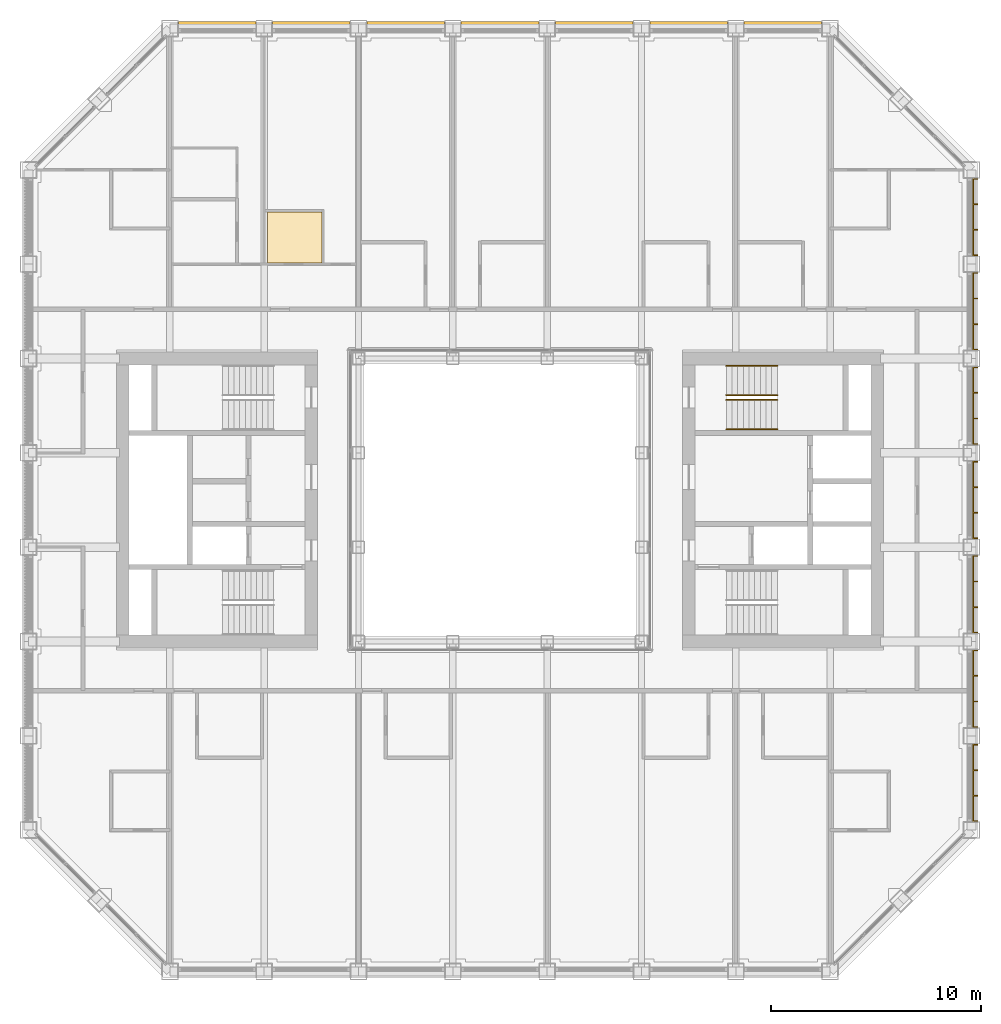
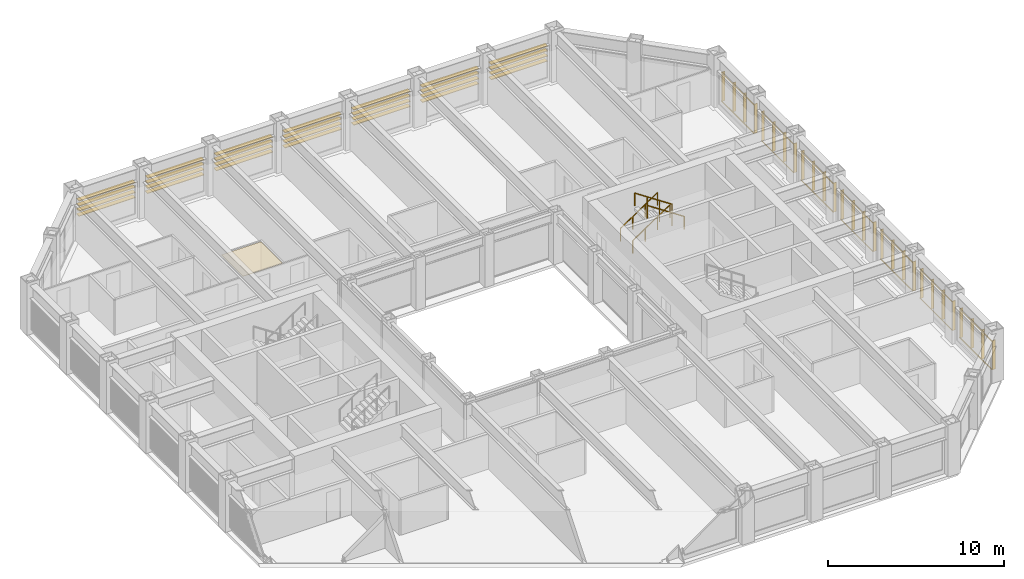
# One storey, part 17 of 17: 4 railings, 2 shading devices, 1 covering.
"""IFC4 building model written with IfcOpenShell, lengths in metres."""

from ifc_helpers import new_model, si_unit, direction, frame, origin, origin_2d, place, context, subcontext, project, spatial, line, indexed_curve, rectangle, circle, outline, extrude, material, layer, layer_set, type_object, element, save


model = new_model("IFC4")

# Units and contexts
model_context = context("Model", 3, precision=1e-05, world=origin(), true_north=direction((0.0, 1.0)))
body_context = subcontext(model_context, "Body", "Model", "MODEL_VIEW")
ifc_project = project(units=[si_unit("LENGTHUNIT", "METRE"), si_unit("AREAUNIT", "SQUARE_METRE"), si_unit("VOLUMEUNIT", "CUBIC_METRE"), si_unit("PLANEANGLEUNIT", "RADIAN"), si_unit("MASSUNIT", "GRAM", prefix="KILO")], contexts=[model_context])

# Site, building, storey
site_placement = place(None, origin())
site = spatial("IfcSite", under=ifc_project, at=site_placement, CompositionType="ELEMENT")
building_placement = place(site_placement, origin())
building = spatial("IfcBuilding", under=site, at=building_placement, Name="Msasa Ring Tower", CompositionType="ELEMENT")
storey_placement = place(building_placement, frame((0.0, 0.0, 179.60009765625)))
storey = spatial("IfcBuildingStorey", under=building, at=storey_placement, Name="L47", CompositionType="ELEMENT", Elevation=179.60009765625)

# Shading device
ifc_material_1 = material(Name="Extruded terracotta on aluminium carriers", Category="masonry")
shading_device_type_1 = type_object("IfcShadingDeviceType", Name="BS2 TERRACOTTA FIN SCREEN 40x200 AT 1350", PredefinedType="USERDEFINED", material=ifc_material_1)
shading_device_1_placement = place(storey_placement, origin())
element("IfcShadingDevice", 1, at=shading_device_1_placement, inside=storey, type_object=shading_device_type_1, Name="Terracotta fin screen E L47", ObjectType="BAGUETTE", PredefinedType="USERDEFINED", context=body_context, shape_type="SweptSolid", body=[
    extrude(rectangle(XDim=0.06005859375, YDim=0.0400390625, at=origin_2d()), frame((22.580078125, -15.35009765625, 0.329833984375), z_axis=(0.0, 1.0, 0.0), x_axis=(0.0, 0.0, 1.0)), (0.0, 0.0, 1.0), 3.699951171875),
    extrude(rectangle(XDim=0.06005859375, YDim=0.0400390625, at=origin_2d()), frame((22.580078125, -15.35009765625, 2.298828125), z_axis=(0.0, 1.0, 0.0), x_axis=(0.0, 0.0, 1.0)), (0.0, 0.0, 1.0), 3.699951171875),
    extrude(rectangle(XDim=0.0400390625, YDim=0.199951171875, at=origin_2d()), frame((22.695068359375, -15.330078125, 0.2998046875), z_axis=(0.0, 0.0, 1.0), x_axis=(0.0, 1.0, 0.0)), (0.0, 0.0, 1.0), 2.029052734375),
    extrude(rectangle(XDim=0.0400390625, YDim=0.199951171875, at=origin_2d()), frame((22.695068359375, -14.110107421875, 0.2998046875), z_axis=(0.0, 0.0, 1.0), x_axis=(0.0, 1.0, 0.0)), (0.0, 0.0, 1.0), 2.029052734375),
    extrude(rectangle(XDim=0.0400390625, YDim=0.199951171875, at=origin_2d()), frame((22.695068359375, -12.889892578125, 0.2998046875), z_axis=(0.0, 0.0, 1.0), x_axis=(0.0, 1.0, 0.0)), (0.0, 0.0, 1.0), 2.029052734375),
    extrude(rectangle(XDim=0.0400390625, YDim=0.199951171875, at=origin_2d()), frame((22.695068359375, -11.669921875, 0.2998046875), z_axis=(0.0, 0.0, 1.0), x_axis=(0.0, 1.0, 0.0)), (0.0, 0.0, 1.0), 2.029052734375),
    extrude(rectangle(XDim=0.06005859375, YDim=0.0400390625, at=origin_2d()), frame((22.580078125, -10.85009765625, 0.329833984375), z_axis=(0.0, 1.0, 0.0), x_axis=(0.0, 0.0, 1.0)), (0.0, 0.0, 1.0), 3.699951171875),
    extrude(rectangle(XDim=0.06005859375, YDim=0.0400390625, at=origin_2d()), frame((22.580078125, -10.85009765625, 2.298828125), z_axis=(0.0, 1.0, 0.0), x_axis=(0.0, 0.0, 1.0)), (0.0, 0.0, 1.0), 3.699951171875),
    extrude(rectangle(XDim=0.0400390625, YDim=0.199951171875, at=origin_2d()), frame((22.695068359375, -10.830078125, 0.2998046875), z_axis=(0.0, 0.0, 1.0), x_axis=(0.0, 1.0, 0.0)), (0.0, 0.0, 1.0), 2.029052734375),
    extrude(rectangle(XDim=0.0400390625, YDim=0.199951171875, at=origin_2d()), frame((22.695068359375, -9.610107421875, 0.2998046875), z_axis=(0.0, 0.0, 1.0), x_axis=(0.0, 1.0, 0.0)), (0.0, 0.0, 1.0), 2.029052734375),
    extrude(rectangle(XDim=0.0400390625, YDim=0.199951171875, at=origin_2d()), frame((22.695068359375, -8.389892578125, 0.2998046875), z_axis=(0.0, 0.0, 1.0), x_axis=(0.0, 1.0, 0.0)), (0.0, 0.0, 1.0), 2.029052734375),
    extrude(rectangle(XDim=0.0400390625, YDim=0.199951171875, at=origin_2d()), frame((22.695068359375, -7.169921875, 0.2998046875), z_axis=(0.0, 0.0, 1.0), x_axis=(0.0, 1.0, 0.0)), (0.0, 0.0, 1.0), 2.029052734375),
    extrude(rectangle(XDim=0.06005859375, YDim=0.0400390625, at=origin_2d()), frame((22.580078125, -6.35009765625, 0.329833984375), z_axis=(0.0, 1.0, 0.0), x_axis=(0.0, 0.0, 1.0)), (0.0, 0.0, 1.0), 3.699951171875),
    extrude(rectangle(XDim=0.06005859375, YDim=0.0400390625, at=origin_2d()), frame((22.580078125, -6.35009765625, 2.298828125), z_axis=(0.0, 1.0, 0.0), x_axis=(0.0, 0.0, 1.0)), (0.0, 0.0, 1.0), 3.699951171875),
    extrude(rectangle(XDim=0.0400390625, YDim=0.199951171875, at=origin_2d()), frame((22.695068359375, -6.330078125, 0.2998046875), z_axis=(0.0, 0.0, 1.0), x_axis=(0.0, 1.0, 0.0)), (0.0, 0.0, 1.0), 2.029052734375),
    extrude(rectangle(XDim=0.0400390625, YDim=0.199951171875, at=origin_2d()), frame((22.695068359375, -5.110107421875, 0.2998046875), z_axis=(0.0, 0.0, 1.0), x_axis=(0.0, 1.0, 0.0)), (0.0, 0.0, 1.0), 2.029052734375),
    extrude(rectangle(XDim=0.0400390625, YDim=0.199951171875, at=origin_2d()), frame((22.695068359375, -3.889892578125, 0.2998046875), z_axis=(0.0, 0.0, 1.0), x_axis=(0.0, 1.0, 0.0)), (0.0, 0.0, 1.0), 2.029052734375),
    extrude(rectangle(XDim=0.0400390625, YDim=0.199951171875, at=origin_2d()), frame((22.695068359375, -2.669921875, 0.2998046875), z_axis=(0.0, 0.0, 1.0), x_axis=(0.0, 1.0, 0.0)), (0.0, 0.0, 1.0), 2.029052734375),
    extrude(rectangle(XDim=0.06005859375, YDim=0.0400390625, at=origin_2d()), frame((22.580078125, -1.85009765625, 0.329833984375), z_axis=(0.0, 1.0, 0.0), x_axis=(0.0, 0.0, 1.0)), (0.0, 0.0, 1.0), 3.699951171875),
    extrude(rectangle(XDim=0.06005859375, YDim=0.0400390625, at=origin_2d()), frame((22.580078125, -1.85009765625, 2.298828125), z_axis=(0.0, 1.0, 0.0), x_axis=(0.0, 0.0, 1.0)), (0.0, 0.0, 1.0), 3.699951171875),
    extrude(rectangle(XDim=0.0400390625, YDim=0.199951171875, at=origin_2d()), frame((22.695068359375, -1.830078125, 0.2998046875), z_axis=(0.0, 0.0, 1.0), x_axis=(0.0, 1.0, 0.0)), (0.0, 0.0, 1.0), 2.029052734375),
    extrude(rectangle(XDim=0.0400390625, YDim=0.199951171875, at=origin_2d()), frame((22.695068359375, -0.610107421875, 0.2998046875), z_axis=(0.0, 0.0, 1.0), x_axis=(0.0, 1.0, 0.0)), (0.0, 0.0, 1.0), 2.029052734375),
    extrude(rectangle(XDim=0.0400390625, YDim=0.199951171875, at=origin_2d()), frame((22.695068359375, 0.610107421875, 0.2998046875), z_axis=(0.0, 0.0, 1.0), x_axis=(0.0, 1.0, 0.0)), (0.0, 0.0, 1.0), 2.029052734375),
    extrude(rectangle(XDim=0.0400390625, YDim=0.199951171875, at=origin_2d()), frame((22.695068359375, 1.830078125, 0.2998046875), z_axis=(0.0, 0.0, 1.0), x_axis=(0.0, 1.0, 0.0)), (0.0, 0.0, 1.0), 2.029052734375),
    extrude(rectangle(XDim=0.06005859375, YDim=0.0400390625, at=origin_2d()), frame((22.580078125, 2.64990234375, 0.329833984375), z_axis=(0.0, 1.0, 0.0), x_axis=(0.0, 0.0, 1.0)), (0.0, 0.0, 1.0), 3.699951171875),
    extrude(rectangle(XDim=0.06005859375, YDim=0.0400390625, at=origin_2d()), frame((22.580078125, 2.64990234375, 2.298828125), z_axis=(0.0, 1.0, 0.0), x_axis=(0.0, 0.0, 1.0)), (0.0, 0.0, 1.0), 3.699951171875),
    extrude(rectangle(XDim=0.0400390625, YDim=0.199951171875, at=origin_2d()), frame((22.695068359375, 2.669921875, 0.2998046875), z_axis=(0.0, 0.0, 1.0), x_axis=(0.0, 1.0, 0.0)), (0.0, 0.0, 1.0), 2.029052734375),
    extrude(rectangle(XDim=0.0400390625, YDim=0.199951171875, at=origin_2d()), frame((22.695068359375, 3.889892578125, 0.2998046875), z_axis=(0.0, 0.0, 1.0), x_axis=(0.0, 1.0, 0.0)), (0.0, 0.0, 1.0), 2.029052734375),
    extrude(rectangle(XDim=0.0400390625, YDim=0.199951171875, at=origin_2d()), frame((22.695068359375, 5.110107421875, 0.2998046875), z_axis=(0.0, 0.0, 1.0), x_axis=(0.0, 1.0, 0.0)), (0.0, 0.0, 1.0), 2.029052734375),
    extrude(rectangle(XDim=0.0400390625, YDim=0.199951171875, at=origin_2d()), frame((22.695068359375, 6.330078125, 0.2998046875), z_axis=(0.0, 0.0, 1.0), x_axis=(0.0, 1.0, 0.0)), (0.0, 0.0, 1.0), 2.029052734375),
    extrude(rectangle(XDim=0.06005859375, YDim=0.0400390625, at=origin_2d()), frame((22.580078125, 7.14990234375, 0.329833984375), z_axis=(0.0, 1.0, 0.0), x_axis=(0.0, 0.0, 1.0)), (0.0, 0.0, 1.0), 3.699951171875),
    extrude(rectangle(XDim=0.06005859375, YDim=0.0400390625, at=origin_2d()), frame((22.580078125, 7.14990234375, 2.298828125), z_axis=(0.0, 1.0, 0.0), x_axis=(0.0, 0.0, 1.0)), (0.0, 0.0, 1.0), 3.699951171875),
    extrude(rectangle(XDim=0.0400390625, YDim=0.199951171875, at=origin_2d()), frame((22.695068359375, 7.169921875, 0.2998046875), z_axis=(0.0, 0.0, 1.0), x_axis=(0.0, 1.0, 0.0)), (0.0, 0.0, 1.0), 2.029052734375),
    extrude(rectangle(XDim=0.0400390625, YDim=0.199951171875, at=origin_2d()), frame((22.695068359375, 8.389892578125, 0.2998046875), z_axis=(0.0, 0.0, 1.0), x_axis=(0.0, 1.0, 0.0)), (0.0, 0.0, 1.0), 2.029052734375),
    extrude(rectangle(XDim=0.0400390625, YDim=0.199951171875, at=origin_2d()), frame((22.695068359375, 9.610107421875, 0.2998046875), z_axis=(0.0, 0.0, 1.0), x_axis=(0.0, 1.0, 0.0)), (0.0, 0.0, 1.0), 2.029052734375),
    extrude(rectangle(XDim=0.0400390625, YDim=0.199951171875, at=origin_2d()), frame((22.695068359375, 10.830078125, 0.2998046875), z_axis=(0.0, 0.0, 1.0), x_axis=(0.0, 1.0, 0.0)), (0.0, 0.0, 1.0), 2.029052734375),
    extrude(rectangle(XDim=0.06005859375, YDim=0.0400390625, at=origin_2d()), frame((22.580078125, 11.64990234375, 0.329833984375), z_axis=(0.0, 1.0, 0.0), x_axis=(0.0, 0.0, 1.0)), (0.0, 0.0, 1.0), 3.699951171875),
    extrude(rectangle(XDim=0.06005859375, YDim=0.0400390625, at=origin_2d()), frame((22.580078125, 11.64990234375, 2.298828125), z_axis=(0.0, 1.0, 0.0), x_axis=(0.0, 0.0, 1.0)), (0.0, 0.0, 1.0), 3.699951171875),
    extrude(rectangle(XDim=0.0400390625, YDim=0.199951171875, at=origin_2d()), frame((22.695068359375, 11.669921875, 0.2998046875), z_axis=(0.0, 0.0, 1.0), x_axis=(0.0, 1.0, 0.0)), (0.0, 0.0, 1.0), 2.029052734375),
    extrude(rectangle(XDim=0.0400390625, YDim=0.199951171875, at=origin_2d()), frame((22.695068359375, 12.889892578125, 0.2998046875), z_axis=(0.0, 0.0, 1.0), x_axis=(0.0, 1.0, 0.0)), (0.0, 0.0, 1.0), 2.029052734375),
    extrude(rectangle(XDim=0.0400390625, YDim=0.199951171875, at=origin_2d()), frame((22.695068359375, 14.110107421875, 0.2998046875), z_axis=(0.0, 0.0, 1.0), x_axis=(0.0, 1.0, 0.0)), (0.0, 0.0, 1.0), 2.029052734375),
    extrude(rectangle(XDim=0.0400390625, YDim=0.199951171875, at=origin_2d()), frame((22.695068359375, 15.330078125, 0.2998046875), z_axis=(0.0, 0.0, 1.0), x_axis=(0.0, 1.0, 0.0)), (0.0, 0.0, 1.0), 2.029052734375),
])

# Covering
ifc_material_2 = material(Name="Perforated aluminium ceiling pans on a steel grid", Category="steel")
ifc_layer = layer(ifc_material_2, 0.02490234375)
ifc_layer_set = layer_set([ifc_layer], Name="C4 PERFORATED METAL PAN CEILING 25")
covering_type = type_object("IfcCoveringType", Name="C4 PERFORATED METAL PAN CEILING 25", PredefinedType="CEILING", material=ifc_layer_set)
covering_placement = place(storey_placement, frame((0.0, 0.0, 2.39990234375)))
element("IfcCovering", 2, at=covering_placement, inside=storey, type_object=covering_type, Name="Perforated Metal Pan Ceiling 25 L47", PredefinedType="CEILING", context=body_context, shape_type="SweptSolid", body=[
    extrude(outline(indexed_curve([(-8.50048828125, 13.74951171875), (-8.50048828125, 11.300537109375), (-11.095703125, 11.300537109375), (-11.095703125, 13.74951171875)], segments=[line(1, 2, 3, 4, 1)], self_intersect=False)), origin(), (0.0, 0.0, 1.0), 0.02490234375),
])

# Railings
ifc_material_3 = material(Name="Stainless steel", Category="steel")
railing_type = type_object("IfcRailingType", Name="HR1 HANDRAIL 900", PredefinedType="HANDRAIL", material=ifc_material_3)
for number, where, name in (
    (3, (10.800048828125, 5.0, 0.179931640625), "Handrail stair SEB L47 1"),
    (4, (10.800048828125, 6.39990234375, 0.179931640625), "Handrail stair SEB L47 2"),
):
    element("IfcRailing", number, at=place(storey_placement, frame(where)), inside=storey, type_object=railing_type, Name=name, PredefinedType="HANDRAIL", context=body_context, shape_type="SweptSolid", body=[
        extrude(circle(Radius=0.02392578125, at=origin_2d()), frame((0.0, 0.0, 0.8759765625), z_axis=(0.832063155534, 0.0, 0.554680903946), x_axis=(0.0, 1.0, 0.0)), (0.0, 0.0, 1.0), 2.92041015625),
        extrude(circle(Radius=0.02099609375, at=origin_2d()), origin(), (0.0, 0.0, 1.0), 0.851806640625),
        extrude(circle(Radius=0.02099609375, at=origin_2d()), frame((0.81005859375, 0.0, 0.5400390625)), (0.0, 0.0, 1.0), 0.851806640625),
        extrude(circle(Radius=0.02099609375, at=origin_2d()), frame((1.619873046875, 0.0, 1.079833984375)), (0.0, 0.0, 1.0), 0.851806640625),
        extrude(circle(Radius=0.02099609375, at=origin_2d()), frame((2.429931640625, 0.0, 1.619873046875)), (0.0, 0.0, 1.0), 0.851806640625),
    ])
for number, where, name in (
    (5, (13.22998046875, 3.375, 1.97998046875), "Handrail stair SEB L47 3"),
    (6, (13.22998046875, 4.77490234375, 1.97998046875), "Handrail stair SEB L47 4"),
):
    element("IfcRailing", number, at=place(storey_placement, frame(where)), inside=storey, type_object=railing_type, Name=name, PredefinedType="HANDRAIL", context=body_context, shape_type="SweptSolid", body=[
        extrude(circle(Radius=0.02392578125, at=origin_2d()), frame((0.0, 0.0, 0.8759765625), z_axis=(-0.832063155534, 0.0, 0.554680903946), x_axis=(0.0, -1.0, 0.0)), (0.0, 0.0, 1.0), 2.92041015625),
        extrude(circle(Radius=0.02099609375, at=origin_2d()), origin(), (0.0, 0.0, 1.0), 0.851806640625),
        extrude(circle(Radius=0.02099609375, at=origin_2d()), frame((-0.81005859375, 0.0, 0.5400390625)), (0.0, 0.0, 1.0), 0.851806640625),
        extrude(circle(Radius=0.02099609375, at=origin_2d()), frame((-1.619873046875, 0.0, 1.079833984375)), (0.0, 0.0, 1.0), 0.851806640625),
        extrude(circle(Radius=0.02099609375, at=origin_2d()), frame((-2.429931640625, 0.0, 1.619873046875)), (0.0, 0.0, 1.0), 0.851806640625),
    ])

# Shading device
ifc_material_4 = material(Name="Extruded terracotta blades", Category="masonry")
shading_device_type_2 = type_object("IfcShadingDeviceType", Name="SS1 TERRACOTTA SUNSHADE 4 BLADES 300x40 AT 350", PredefinedType="USERDEFINED", material=ifc_material_4)
shading_device_2_placement = place(storey_placement, origin())
element("IfcShadingDevice", 7, at=shading_device_2_placement, inside=storey, type_object=shading_device_type_2, Name="Terracotta sunshade N L47", ObjectType="SUNSHADE", PredefinedType="USERDEFINED", context=body_context, shape_type="SweptSolid", body=[
    extrude(rectangle(XDim=0.0400390625, YDim=0.300048828125, at=origin_2d()), frame((-15.35009765625, 22.679931640625, 2.308837890625), z_axis=(1.0, 0.0, 0.0), x_axis=(0.0, 0.0, 1.0)), (0.0, 0.0, 1.0), 3.699951171875),
    extrude(rectangle(XDim=0.0400390625, YDim=0.300048828125, at=origin_2d()), frame((-15.35009765625, 22.679931640625, 1.958984375), z_axis=(1.0, 0.0, 0.0), x_axis=(0.0, 0.0, 1.0)), (0.0, 0.0, 1.0), 3.699951171875),
    extrude(rectangle(XDim=0.0400390625, YDim=0.300048828125, at=origin_2d()), frame((-15.35009765625, 22.679931640625, 1.60888671875), z_axis=(1.0, 0.0, 0.0), x_axis=(0.0, 0.0, 1.0)), (0.0, 0.0, 1.0), 3.699951171875),
    extrude(rectangle(XDim=0.0400390625, YDim=0.300048828125, at=origin_2d()), frame((-15.35009765625, 22.679931640625, 1.2587890625), z_axis=(1.0, 0.0, 0.0), x_axis=(0.0, 0.0, 1.0)), (0.0, 0.0, 1.0), 3.699951171875),
    extrude(rectangle(XDim=0.0400390625, YDim=0.300048828125, at=origin_2d()), frame((-10.85009765625, 22.679931640625, 2.308837890625), z_axis=(1.0, 0.0, 0.0), x_axis=(0.0, 0.0, 1.0)), (0.0, 0.0, 1.0), 3.699951171875),
    extrude(rectangle(XDim=0.0400390625, YDim=0.300048828125, at=origin_2d()), frame((-10.85009765625, 22.679931640625, 1.958984375), z_axis=(1.0, 0.0, 0.0), x_axis=(0.0, 0.0, 1.0)), (0.0, 0.0, 1.0), 3.699951171875),
    extrude(rectangle(XDim=0.0400390625, YDim=0.300048828125, at=origin_2d()), frame((-10.85009765625, 22.679931640625, 1.60888671875), z_axis=(1.0, 0.0, 0.0), x_axis=(0.0, 0.0, 1.0)), (0.0, 0.0, 1.0), 3.699951171875),
    extrude(rectangle(XDim=0.0400390625, YDim=0.300048828125, at=origin_2d()), frame((-10.85009765625, 22.679931640625, 1.2587890625), z_axis=(1.0, 0.0, 0.0), x_axis=(0.0, 0.0, 1.0)), (0.0, 0.0, 1.0), 3.699951171875),
    extrude(rectangle(XDim=0.0400390625, YDim=0.300048828125, at=origin_2d()), frame((-6.35009765625, 22.679931640625, 2.308837890625), z_axis=(1.0, 0.0, 0.0), x_axis=(0.0, 0.0, 1.0)), (0.0, 0.0, 1.0), 3.699951171875),
    extrude(rectangle(XDim=0.0400390625, YDim=0.300048828125, at=origin_2d()), frame((-6.35009765625, 22.679931640625, 1.958984375), z_axis=(1.0, 0.0, 0.0), x_axis=(0.0, 0.0, 1.0)), (0.0, 0.0, 1.0), 3.699951171875),
    extrude(rectangle(XDim=0.0400390625, YDim=0.300048828125, at=origin_2d()), frame((-6.35009765625, 22.679931640625, 1.60888671875), z_axis=(1.0, 0.0, 0.0), x_axis=(0.0, 0.0, 1.0)), (0.0, 0.0, 1.0), 3.699951171875),
    extrude(rectangle(XDim=0.0400390625, YDim=0.300048828125, at=origin_2d()), frame((-6.35009765625, 22.679931640625, 1.2587890625), z_axis=(1.0, 0.0, 0.0), x_axis=(0.0, 0.0, 1.0)), (0.0, 0.0, 1.0), 3.699951171875),
    extrude(rectangle(XDim=0.0400390625, YDim=0.300048828125, at=origin_2d()), frame((-1.85009765625, 22.679931640625, 2.308837890625), z_axis=(1.0, 0.0, 0.0), x_axis=(0.0, 0.0, 1.0)), (0.0, 0.0, 1.0), 3.699951171875),
    extrude(rectangle(XDim=0.0400390625, YDim=0.300048828125, at=origin_2d()), frame((-1.85009765625, 22.679931640625, 1.958984375), z_axis=(1.0, 0.0, 0.0), x_axis=(0.0, 0.0, 1.0)), (0.0, 0.0, 1.0), 3.699951171875),
    extrude(rectangle(XDim=0.0400390625, YDim=0.300048828125, at=origin_2d()), frame((-1.85009765625, 22.679931640625, 1.60888671875), z_axis=(1.0, 0.0, 0.0), x_axis=(0.0, 0.0, 1.0)), (0.0, 0.0, 1.0), 3.699951171875),
    extrude(rectangle(XDim=0.0400390625, YDim=0.300048828125, at=origin_2d()), frame((-1.85009765625, 22.679931640625, 1.2587890625), z_axis=(1.0, 0.0, 0.0), x_axis=(0.0, 0.0, 1.0)), (0.0, 0.0, 1.0), 3.699951171875),
    extrude(rectangle(XDim=0.0400390625, YDim=0.300048828125, at=origin_2d()), frame((2.64990234375, 22.679931640625, 2.308837890625), z_axis=(1.0, 0.0, 0.0), x_axis=(0.0, 0.0, 1.0)), (0.0, 0.0, 1.0), 3.699951171875),
    extrude(rectangle(XDim=0.0400390625, YDim=0.300048828125, at=origin_2d()), frame((2.64990234375, 22.679931640625, 1.958984375), z_axis=(1.0, 0.0, 0.0), x_axis=(0.0, 0.0, 1.0)), (0.0, 0.0, 1.0), 3.699951171875),
    extrude(rectangle(XDim=0.0400390625, YDim=0.300048828125, at=origin_2d()), frame((2.64990234375, 22.679931640625, 1.60888671875), z_axis=(1.0, 0.0, 0.0), x_axis=(0.0, 0.0, 1.0)), (0.0, 0.0, 1.0), 3.699951171875),
    extrude(rectangle(XDim=0.0400390625, YDim=0.300048828125, at=origin_2d()), frame((2.64990234375, 22.679931640625, 1.2587890625), z_axis=(1.0, 0.0, 0.0), x_axis=(0.0, 0.0, 1.0)), (0.0, 0.0, 1.0), 3.699951171875),
    extrude(rectangle(XDim=0.0400390625, YDim=0.300048828125, at=origin_2d()), frame((7.14990234375, 22.679931640625, 2.308837890625), z_axis=(1.0, 0.0, 0.0), x_axis=(0.0, 0.0, 1.0)), (0.0, 0.0, 1.0), 3.699951171875),
    extrude(rectangle(XDim=0.0400390625, YDim=0.300048828125, at=origin_2d()), frame((7.14990234375, 22.679931640625, 1.958984375), z_axis=(1.0, 0.0, 0.0), x_axis=(0.0, 0.0, 1.0)), (0.0, 0.0, 1.0), 3.699951171875),
    extrude(rectangle(XDim=0.0400390625, YDim=0.300048828125, at=origin_2d()), frame((7.14990234375, 22.679931640625, 1.60888671875), z_axis=(1.0, 0.0, 0.0), x_axis=(0.0, 0.0, 1.0)), (0.0, 0.0, 1.0), 3.699951171875),
    extrude(rectangle(XDim=0.0400390625, YDim=0.300048828125, at=origin_2d()), frame((7.14990234375, 22.679931640625, 1.2587890625), z_axis=(1.0, 0.0, 0.0), x_axis=(0.0, 0.0, 1.0)), (0.0, 0.0, 1.0), 3.699951171875),
    extrude(rectangle(XDim=0.0400390625, YDim=0.300048828125, at=origin_2d()), frame((11.64990234375, 22.679931640625, 2.308837890625), z_axis=(1.0, 0.0, 0.0), x_axis=(0.0, 0.0, 1.0)), (0.0, 0.0, 1.0), 3.699951171875),
    extrude(rectangle(XDim=0.0400390625, YDim=0.300048828125, at=origin_2d()), frame((11.64990234375, 22.679931640625, 1.958984375), z_axis=(1.0, 0.0, 0.0), x_axis=(0.0, 0.0, 1.0)), (0.0, 0.0, 1.0), 3.699951171875),
    extrude(rectangle(XDim=0.0400390625, YDim=0.300048828125, at=origin_2d()), frame((11.64990234375, 22.679931640625, 1.60888671875), z_axis=(1.0, 0.0, 0.0), x_axis=(0.0, 0.0, 1.0)), (0.0, 0.0, 1.0), 3.699951171875),
    extrude(rectangle(XDim=0.0400390625, YDim=0.300048828125, at=origin_2d()), frame((11.64990234375, 22.679931640625, 1.2587890625), z_axis=(1.0, 0.0, 0.0), x_axis=(0.0, 0.0, 1.0)), (0.0, 0.0, 1.0), 3.699951171875),
])

save(model, "model.ifc")
